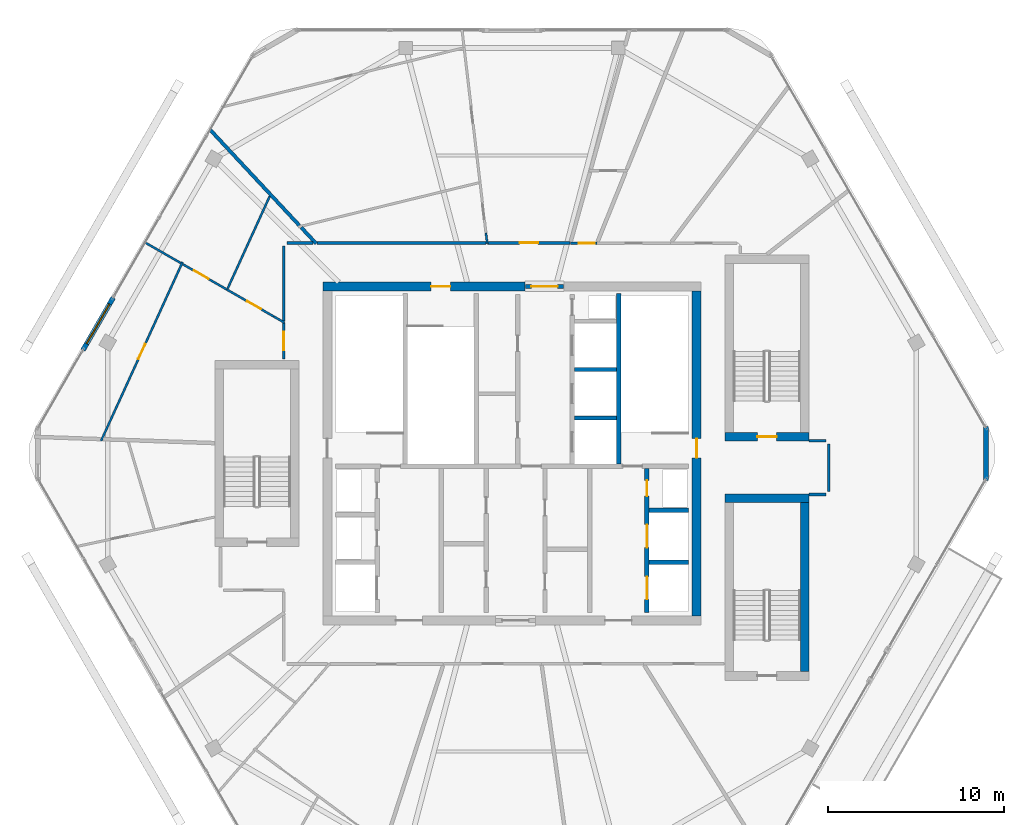
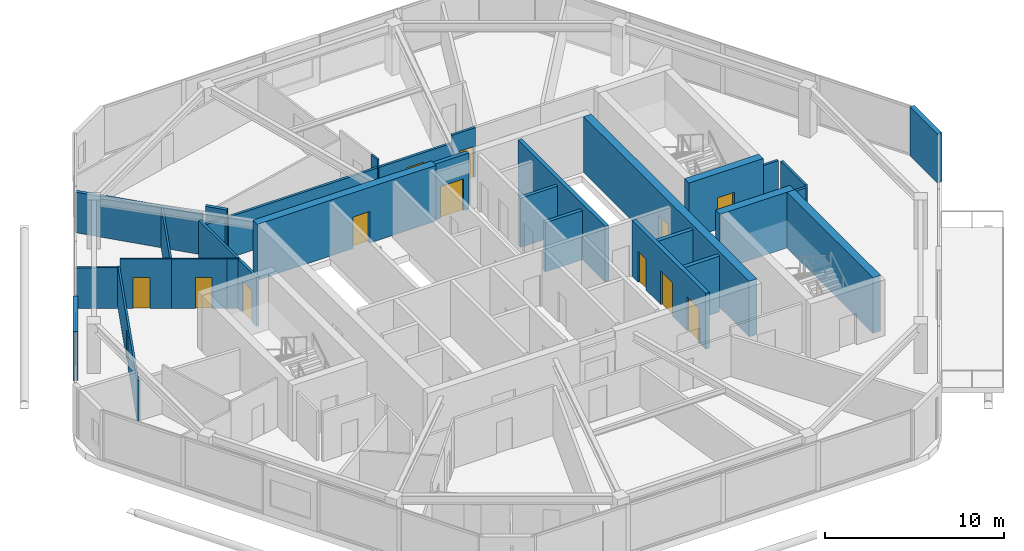
# One storey, part 18 of 22: 32 walls, 13 doors, 1 window, 14 openings.
"""IFC4 building model written with IfcOpenShell, lengths in metres."""

from ifc_helpers import new_model, si_unit, direction, frame, frame_2d, origin, place, context, subcontext, project, spatial, rectangle, extrude, material, layer, layer_set, type_object, element, fill, save


model = new_model("IFC4")

# Units and contexts
model_context = context("Model", 3, precision=1e-05, world=origin(), true_north=direction((0.0, 1.0)))
body_context = subcontext(model_context, "Body", "Model", "MODEL_VIEW")
ifc_project = project(units=[si_unit("LENGTHUNIT", "METRE"), si_unit("AREAUNIT", "SQUARE_METRE"), si_unit("VOLUMEUNIT", "CUBIC_METRE"), si_unit("PLANEANGLEUNIT", "RADIAN"), si_unit("MASSUNIT", "GRAM", prefix="KILO")], contexts=[model_context])

# Site, building, storey
site_placement = place(None, origin())
site = spatial("IfcSite", under=ifc_project, at=site_placement, CompositionType="ELEMENT")
building_placement = place(site_placement, origin())
building = spatial("IfcBuilding", under=site, at=building_placement, Name="Zuhravey Tower", CompositionType="ELEMENT")
storey_placement = place(building_placement, frame((0.0, 0.0, 357.60009765625)))
storey = spatial("IfcBuildingStorey", under=building, at=storey_placement, Name="L91", CompositionType="ELEMENT", Elevation=357.60009765625)

# Wall, opening, door
ifc_material_1 = material(Name="Concrete C50/60", Category="concrete")
ifc_layer_1 = layer(ifc_material_1, 0.5)
ifc_layer_set_1 = layer_set([ifc_layer_1], Name="Concrete C50/60")
wall_type_1 = type_object("IfcWallType", Name="Core Shear Wall 500", PredefinedType="SHEAR", material=ifc_layer_set_1)
wall_1_placement = place(storey_placement, frame((36.75, 41.5, 0.0), z_axis=(0.0, 0.0, 1.0), x_axis=(-1.0, 0.0, 0.0)))
wall_1 = element("IfcWall", 1, at=wall_1_placement, inside=storey, type_object=wall_type_1, Name="L91 North-West Core Shear Wall CW50", PredefinedType="SHEAR", context=body_context, shape_type="SweptSolid", body=[
    extrude(rectangle(XDim=11.5, YDim=0.5, at=frame_2d((5.75, 0.0))), origin(), (0.0, 0.0, 1.0), 3.7998046875),
])
opening_1_placement = place(wall_1_placement, frame((4.25, 0.0, 0.0)))
opening_1 = element("IfcOpeningElement", 2, at=opening_1_placement, cuts=wall_1, Name="Opening STD1", PredefinedType="OPENING", context=body_context, shape_type="SweptSolid", body=[
    extrude(rectangle(XDim=1.10009765625, YDim=2.14990234375, at=frame_2d((0.550048828125, 1.074951171875))), frame((0.0, 0.261962890625, 0.0), z_axis=(0.0, -1.0, 0.0), x_axis=(1.0, 0.0, 0.0)), (0.0, 0.0, 1.0), 0.52392578125),
])
ifc_material_2 = material(Name="Galvanised fire-rated steel leaf", Category="steel")
door_type_1 = type_object("IfcDoorType", Name="Protected Stair Fire Door 1100x2150", OperationType="NOTDEFINED", PredefinedType="USERDEFINED", material=ifc_material_2)
door_1_placement = place(opening_1_placement, origin())
door_1 = element("IfcDoor", 3, at=door_1_placement, inside=storey, type_object=door_type_1, Name="L91 Stair ST3 Door", ObjectType="EXITDOOR", OperationType="SINGLE_SWING_RIGHT", OverallHeight=2.14990234375, OverallWidth=1.10009765625, PredefinedType="USERDEFINED", context=body_context, shape_type="SweptSolid", body=[
    extrude(rectangle(XDim=1.10009765625, YDim=2.14990234375, at=frame_2d((0.550048828125, 1.074951171875))), frame((0.0, 0.02490234375, 0.0), z_axis=(0.0, -1.0, 0.0), x_axis=(1.0, 0.0, 0.0)), (0.0, 0.0, 1.0), 0.050048828125),
])
fill(opening_1, door_1)

wall_2_placement = place(storey_placement, frame((46.5, 22.75, 0.0), z_axis=(0.0, 0.0, 1.0), x_axis=(0.0, 1.0, 0.0)))
wall_2 = element("IfcWall", 4, at=wall_2_placement, inside=storey, type_object=wall_type_1, Name="L91 East Core Shear Wall CW50", PredefinedType="SHEAR", context=body_context, shape_type="SweptSolid", body=[
    extrude(rectangle(XDim=18.5, YDim=0.5, at=frame_2d((9.25, 0.0))), origin(), (0.0, 0.0, 1.0), 3.7998046875),
])
opening_2_placement = place(wall_2_placement, frame((9.0, 0.0, 0.0)))
opening_2 = element("IfcOpeningElement", 5, at=opening_2_placement, cuts=wall_2, Name="Opening STD1", PredefinedType="OPENING", context=body_context, shape_type="SweptSolid", body=[
    extrude(rectangle(XDim=1.10009765625, YDim=2.14990234375, at=frame_2d((0.550048828125, 1.074951171875))), frame((0.0, 0.261962890625, 0.0), z_axis=(0.0, -1.0, 0.0), x_axis=(1.0, 0.0, 0.0)), (0.0, 0.0, 1.0), 0.52392578125),
])
door_2_placement = place(opening_2_placement, origin())
door_2 = element("IfcDoor", 6, at=door_2_placement, inside=storey, type_object=door_type_1, Name="L91 Stair ST2 Door", ObjectType="EXITDOOR", OperationType="SINGLE_SWING_LEFT", OverallHeight=2.14990234375, OverallWidth=1.10009765625, PredefinedType="USERDEFINED", context=body_context, shape_type="SweptSolid", body=[
    extrude(rectangle(XDim=1.10009765625, YDim=2.14990234375, at=frame_2d((0.550048828125, 1.074951171875))), frame((0.0, 0.02490234375, 0.0), z_axis=(0.0, -1.0, 0.0), x_axis=(1.0, 0.0, 0.0)), (0.0, 0.0, 1.0), 0.050048828125),
])
fill(opening_2, door_2)

# Walls
wall_3_placement = place(storey_placement, frame((52.89990234375, 29.449951171875, 0.0), z_axis=(0.0, 0.0, 1.0), x_axis=(-1.0, 0.0, 0.0)))
element("IfcWall", 7, at=wall_3_placement, inside=storey, type_object=wall_type_1, Name="L91 CST2 North Shaft Wall", PredefinedType="SHEAR", context=body_context, shape_type="SweptSolid", body=[
    extrude(rectangle(XDim=4.7998046875, YDim=0.5, at=frame_2d((2.39990234375, 0.0))), origin(), (0.0, 0.0, 1.0), 3.7998046875),
])
wall_4_placement = place(storey_placement, frame((52.64990234375, 29.199951171875, 0.0), z_axis=(0.0, 0.0, 1.0), x_axis=(0.0, -1.0, 0.0)))
element("IfcWall", 8, at=wall_4_placement, inside=storey, type_object=wall_type_1, Name="L91 CST2 East Shaft Wall", PredefinedType="SHEAR", context=body_context, shape_type="SweptSolid", body=[
    extrude(rectangle(XDim=9.599853515625, YDim=0.5, at=frame_2d((4.7998046875, 0.0))), origin(), (0.0, 0.0, 1.0), 3.7998046875),
])

# Wall, opening, door
wall_5_placement = place(storey_placement, frame((48.10009765625, 32.949951171875, 0.0), z_axis=(0.0, 0.0, 1.0), x_axis=(1.0, 0.0, 0.0)))
wall_5 = element("IfcWall", 9, at=wall_5_placement, inside=storey, type_object=wall_type_1, Name="L91 CST3 South Shaft Wall", PredefinedType="SHEAR", context=body_context, shape_type="SweptSolid", body=[
    extrude(rectangle(XDim=4.7998046875, YDim=0.5, at=frame_2d((2.39990234375, 0.0))), origin(), (0.0, 0.0, 1.0), 3.7998046875),
])
opening_3_placement = place(wall_5_placement, frame((1.85009765625, 0.0, 0.0)))
opening_3 = element("IfcOpeningElement", 10, at=opening_3_placement, cuts=wall_5, Name="Opening STD1", PredefinedType="OPENING", context=body_context, shape_type="SweptSolid", body=[
    extrude(rectangle(XDim=1.10009765625, YDim=2.14990234375, at=frame_2d((0.550048828125, 1.074951171875))), frame((0.0, 0.261962890625, 0.0), z_axis=(0.0, -1.0, 0.0), x_axis=(1.0, 0.0, 0.0)), (0.0, 0.0, 1.0), 0.52392578125),
])
door_3_placement = place(opening_3_placement, origin())
door_3 = element("IfcDoor", 11, at=door_3_placement, inside=storey, type_object=door_type_1, Name="L91 CST3 Transfer Door", ObjectType="EXITDOOR", OperationType="SINGLE_SWING_LEFT", OverallHeight=2.14990234375, OverallWidth=1.10009765625, PredefinedType="USERDEFINED", context=body_context, shape_type="SweptSolid", body=[
    extrude(rectangle(XDim=1.10009765625, YDim=2.14990234375, at=frame_2d((0.550048828125, 1.074951171875))), frame((0.0, 0.02490234375, 0.0), z_axis=(0.0, -1.0, 0.0), x_axis=(1.0, 0.0, 0.0)), (0.0, 0.0, 1.0), 0.050048828125),
])
fill(opening_3, door_3)

ifc_material_3 = material(Name="Gypsum fire-rated stud partition")
ifc_layer_2 = layer(ifc_material_3, 0.159912109375)
ifc_layer_set_2 = layer_set([ifc_layer_2], Name="Gypsum fire-rated stud partition")
wall_type_2 = type_object("IfcWallType", Name="Corridor Fire Partition 160", PredefinedType="PARTITIONING", material=ifc_layer_set_2)
wall_6_placement = place(storey_placement, frame((40.832275390625, 43.9599609375, 0.0), z_axis=(0.0, 0.0, 1.0), x_axis=(-1.0, 0.0, 0.0)))
wall_6 = element("IfcWall", 12, at=wall_6_placement, inside=storey, type_object=wall_type_2, Name="L91 IW16 Partition 025", PredefinedType="PARTITIONING", context=body_context, shape_type="SweptSolid", body=[
    extrude(rectangle(XDim=1.515380859375, YDim=0.159912109375, at=frame_2d((0.7578125, 0.0))), origin(), (0.0, 0.0, 1.0), 3.349853515625),
])
opening_4_placement = place(wall_6_placement, frame((0.139892578125, 0.0, 0.0)))
opening_4 = element("IfcOpeningElement", 13, at=opening_4_placement, cuts=wall_6, Name="Opening RSD1", PredefinedType="OPENING", context=body_context, shape_type="SweptSolid", body=[
    extrude(rectangle(XDim=0.89990234375, YDim=2.10009765625, at=frame_2d((0.449951171875, 1.050048828125))), frame((0.0, 0.092041015625, 0.0), z_axis=(0.0, -1.0, 0.0), x_axis=(1.0, 0.0, 0.0)), (0.0, 0.0, 1.0), 0.183837890625),
])
ifc_material_4 = material(Name="Galvanised fire-rated steel access leaf", Category="steel")
door_type_2 = type_object("IfcDoorType", Name="Riser & Shaft Access Fire Door 900x2100", OperationType="NOTDEFINED", PredefinedType="DOOR", material=ifc_material_4)
door_4_placement = place(opening_4_placement, frame((0.89990234375, 0.0, 0.0), z_axis=(0.0, 0.0, 1.0), x_axis=(-1.0, 0.0, 0.0)))
door_4 = element("IfcDoor", 14, at=door_4_placement, inside=storey, type_object=door_type_2, Name="L91 Door 025.1", OperationType="SINGLE_SWING_LEFT", OverallHeight=2.10009765625, OverallWidth=0.89990234375, PredefinedType="DOOR", context=body_context, shape_type="SweptSolid", body=[
    extrude(rectangle(XDim=0.89990234375, YDim=2.10009765625, at=frame_2d((0.449951171875, 1.050048828125))), frame((0.0, 0.02490234375, 0.0), z_axis=(0.0, -1.0, 0.0), x_axis=(1.0, 0.0, 0.0)), (0.0, 0.0, 1.0), 0.050048828125),
])
fill(opening_4, door_4)

wall_7_placement = place(storey_placement, frame((39.301513671875, 43.97998046875, 0.0), z_axis=(0.0, 0.0, 1.0), x_axis=(-1.0, 0.0, 0.0)))
wall_7 = element("IfcWall", 15, at=wall_7_placement, inside=storey, type_object=wall_type_2, Name="L91 IW16 Partition 029", PredefinedType="PARTITIONING", context=body_context, shape_type="SweptSolid", body=[
    extrude(rectangle(XDim=4.695068359375, YDim=0.159912109375, at=frame_2d((2.34765625, 0.0))), origin(), (0.0, 0.0, 1.0), 2.7998046875),
])
opening_5_placement = place(wall_7_placement, frame((1.822509765625, 0.0, 0.0)))
opening_5 = element("IfcOpeningElement", 16, at=opening_5_placement, cuts=wall_7, Name="Opening APD1", PredefinedType="OPENING", context=body_context, shape_type="SweptSolid", body=[
    extrude(rectangle(XDim=1.050048828125, YDim=2.14990234375, at=frame_2d((0.52490234375, 1.074951171875))), frame((0.0, 0.092041015625, 0.0), z_axis=(0.0, -1.0, 0.0), x_axis=(1.0, 0.0, 0.0)), (0.0, 0.0, 1.0), 0.183837890625),
])
ifc_material_5 = material(Name="Solid-core oak fire-rated leaf")
door_type_3 = type_object("IfcDoorType", Name="Apartment Entrance Fire Door 1050x2150", OperationType="NOTDEFINED", PredefinedType="DOOR", material=ifc_material_5)
door_5_placement = place(opening_5_placement, frame((1.050048828125, 0.0, 0.0), z_axis=(0.0, 0.0, 1.0), x_axis=(-1.0, 0.0, 0.0)))
door_5 = element("IfcDoor", 17, at=door_5_placement, inside=storey, type_object=door_type_3, Name="L91 Door 029.1", OperationType="SINGLE_SWING_LEFT", OverallHeight=2.14990234375, OverallWidth=1.050048828125, PredefinedType="DOOR", context=body_context, shape_type="SweptSolid", body=[
    extrude(rectangle(XDim=1.050048828125, YDim=2.14990234375, at=frame_2d((0.52490234375, 1.074951171875))), frame((0.0, 0.02490234375, 0.0), z_axis=(0.0, -1.0, 0.0), x_axis=(1.0, 0.0, 0.0)), (0.0, 0.0, 1.0), 0.050048828125),
])
fill(opening_5, door_5)

wall_8_placement = place(storey_placement, frame((23.02001953125, 39.44091796875, 0.0), z_axis=(0.0, 0.0, 1.0), x_axis=(0.0, -1.0, 0.0)))
wall_8 = element("IfcWall", 18, at=wall_8_placement, inside=storey, type_object=wall_type_2, Name="L91 IW16 Partition 034", PredefinedType="PARTITIONING", context=body_context, shape_type="SweptSolid", body=[
    extrude(rectangle(XDim=2.07080078125, YDim=0.159912109375, at=frame_2d((1.035400390625, 0.0))), origin(), (0.0, 0.0, 1.0), 3.349853515625),
])
opening_6_placement = place(wall_8_placement, frame((0.510498046875, 0.0, 0.0)))
opening_6 = element("IfcOpeningElement", 19, at=opening_6_placement, cuts=wall_8, Name="Opening APD1", PredefinedType="OPENING", context=body_context, shape_type="SweptSolid", body=[
    extrude(rectangle(XDim=1.050048828125, YDim=2.14990234375, at=frame_2d((0.52490234375, 1.074951171875))), frame((0.0, 0.092041015625, 0.0), z_axis=(0.0, -1.0, 0.0), x_axis=(1.0, 0.0, 0.0)), (0.0, 0.0, 1.0), 0.183837890625),
])
door_6_placement = place(opening_6_placement, frame((1.050048828125, 0.0, 0.0), z_axis=(0.0, 0.0, 1.0), x_axis=(-1.0, 0.0, 0.0)))
door_6 = element("IfcDoor", 20, at=door_6_placement, inside=storey, type_object=door_type_3, Name="L91 Door 034.1", OperationType="SINGLE_SWING_LEFT", OverallHeight=2.14990234375, OverallWidth=1.050048828125, PredefinedType="DOOR", context=body_context, shape_type="SweptSolid", body=[
    extrude(rectangle(XDim=1.050048828125, YDim=2.14990234375, at=frame_2d((0.52490234375, 1.074951171875))), frame((0.0, 0.02490234375, 0.0), z_axis=(0.0, -1.0, 0.0), x_axis=(1.0, 0.0, 0.0)), (0.0, 0.0, 1.0), 0.050048828125),
])
fill(opening_6, door_6)

# Walls
wall_9_placement = place(storey_placement, frame((54.010009765625, 29.85009765625, 0.0), z_axis=(0.0, 0.0, 1.0), x_axis=(0.0, 1.0, 0.0)))
element("IfcWall", 21, at=wall_9_placement, inside=storey, type_object=wall_type_2, Name="L91 IW16 Partition 050", PredefinedType="PARTITIONING", context=body_context, shape_type="SweptSolid", body=[
    extrude(rectangle(XDim=2.699951171875, YDim=0.159912109375, at=frame_2d((1.35009765625, 0.0))), origin(), (0.0, 0.0, 1.0), 3.349853515625),
])
for number, where, z_axis, x_axis, name in (
    (22, (52.89990234375, 29.669921875, 0.0), (0.0, 0.0, 1.0), (1.0, 0.0, 0.0), "L91 IW16 Partition 075"),
    (23, (53.85009765625, 32.72998046875, 0.0), (0.0, 0.0, 1.0), (-1.0, 0.0, 0.0), "L91 IW16 Partition 076"),
):
    element("IfcWall", number, at=place(storey_placement, frame(where, z_axis=z_axis, x_axis=x_axis)), inside=storey, type_object=wall_type_2, Name=name, PredefinedType="PARTITIONING", context=body_context, shape_type="SweptSolid", body=[
        extrude(rectangle(XDim=0.9501953125, YDim=0.159912109375, at=frame_2d((0.47509765625, 0.0))), origin(), (0.0, 0.0, 1.0), 3.349853515625),
    ])
wall_10_placement = place(storey_placement, frame((34.517822265625, 43.97998046875, 0.0), z_axis=(0.0, 0.0, 1.0), x_axis=(-1.0, 0.0, 0.0)))
element("IfcWall", 24, at=wall_10_placement, inside=storey, type_object=wall_type_2, Name="L91 IW16 Partition 078", PredefinedType="PARTITIONING", context=body_context, shape_type="SweptSolid", body=[
    extrude(rectangle(XDim=9.609130859375, YDim=0.159912109375, at=frame_2d((4.8046875, 0.0))), origin(), (0.0, 0.0, 1.0), 2.7998046875),
])
wall_11_placement = place(storey_placement, frame((23.02001953125, 43.800048828125, 0.0), z_axis=(0.0, 0.0, 1.0), x_axis=(0.0, -1.0, 0.0)))
element("IfcWall", 25, at=wall_11_placement, inside=storey, type_object=wall_type_2, Name="L91 IW16 Partition 079", PredefinedType="PARTITIONING", context=body_context, shape_type="SweptSolid", body=[
    extrude(rectangle(XDim=4.2578125, YDim=0.159912109375, at=frame_2d((2.12890625, 0.0))), origin(), (0.0, 0.0, 1.0), 3.349853515625),
])
wall_12_placement = place(storey_placement, frame((24.680908203125, 43.97998046875, 0.0), z_axis=(0.0, 0.0, 1.0), x_axis=(-1.0, 0.0, 0.0)))
element("IfcWall", 26, at=wall_12_placement, inside=storey, type_object=wall_type_2, Name="L91 IW16 Partition 080", PredefinedType="PARTITIONING", context=body_context, shape_type="SweptSolid", body=[
    extrude(rectangle(XDim=1.48095703125, YDim=0.159912109375, at=frame_2d((0.740478515625, 0.0))), origin(), (0.0, 0.0, 1.0), 2.7998046875),
])

# Wall, opening, window
ifc_material_6 = material(Name="Precast concrete C40/50", Category="concrete")
ifc_layer_3 = layer(ifc_material_6, 0.280029296875)
ifc_layer_set_3 = layer_set([ifc_layer_3], Name="Precast concrete C40/50")
wall_type_3 = type_object("IfcWallType", Name="Crown Architectural Wall 280", PredefinedType="SOLIDWALL", material=ifc_layer_set_3)
wall_13_placement = place(storey_placement, frame((11.5986328125, 37.883544921875, 0.0), z_axis=(0.0, 0.0, 1.0), x_axis=(0.499978425106, 0.866037859697, 0.0)))
wall_13 = element("IfcWall", 27, at=wall_13_placement, inside=storey, type_object=wall_type_3, Name="L91 Face 3 Facade Pier EW28-1", PredefinedType="SOLIDWALL", context=body_context, shape_type="SweptSolid", body=[
    extrude(rectangle(XDim=3.440185546875, YDim=0.280029296875, at=frame_2d((1.72021484375, 0.0))), origin(), (0.0, 0.0, 1.0), 3.349853515625),
])
opening_7_placement = place(wall_13_placement, frame((0.419921875, 0.0, 0.699951171875)))
opening_7 = element("IfcOpeningElement", 28, at=opening_7_placement, cuts=wall_13, Name="Opening WN4", PredefinedType="OPENING", context=body_context, shape_type="SweptSolid", body=[
    extrude(rectangle(XDim=2.60009765625, YDim=1.800048828125, at=frame_2d((1.300048828125, 0.89990234375))), frame((0.0, 0.152099609375, 0.0), z_axis=(0.0, -1.0, 0.0), x_axis=(1.0, 0.0, 0.0)), (0.0, 0.0, 1.0), 0.303955078125),
])
ifc_material_7 = material(Name="Thermally broken aluminium and triple low-E glass", Category="aluminium")
window_type = type_object("IfcWindowType", Name="Sky-Pool Observatory Window 2600x1800", PartitioningType="SINGLE_PANEL", PredefinedType="WINDOW", material=ifc_material_7)
window_placement = place(opening_7_placement, origin())
window = element("IfcWindow", 29, at=window_placement, inside=storey, type_object=window_type, Name="L91 Face 3 Feature Window", OverallHeight=1.800048828125, OverallWidth=2.60009765625, PartitioningType="SINGLE_PANEL", PredefinedType="WINDOW", context=body_context, shape_type="SweptSolid", body=[
    extrude(rectangle(XDim=2.60009765625, YDim=1.800048828125, at=frame_2d((1.300048828125, 0.89990234375))), frame((0.0, 0.030029296875, 0.0), z_axis=(0.0, -1.0, 0.0), x_axis=(1.0, 0.0, 0.0)), (0.0, 0.0, 1.0), 0.06005859375),
])
fill(opening_7, window)

# Wall
wall_14_placement = place(storey_placement, frame((62.968505859375, 33.532470703125, 0.0), z_axis=(0.0, 0.0, 1.0), x_axis=(0.0, -1.0, 0.0)))
element("IfcWall", 30, at=wall_14_placement, inside=storey, type_object=wall_type_3, Name="L91 Rounded Corner Closure Wall EW28-12", PredefinedType="SOLIDWALL", context=body_context, shape_type="SweptSolid", body=[
    extrude(rectangle(XDim=3.06494140625, YDim=0.280029296875, at=frame_2d((1.532470703125, 0.0))), origin(), (0.0, 0.0, 1.0), 3.349853515625),
])

# Wall, opening, door
ifc_layer_4 = layer(ifc_material_1, 0.25)
ifc_layer_set_4 = layer_set([ifc_layer_4], Name="Concrete C50/60")
wall_type_4 = type_object("IfcWallType", Name="Firefighting Shaft & Stair Wall 250", PredefinedType="SOLIDWALL", material=ifc_layer_set_4)
wall_15_placement = place(storey_placement, frame((36.760009765625, 41.5, 0.0), z_axis=(0.0, 0.0, 1.0), x_axis=(1.0, 0.0, 0.0)))
wall_15 = element("IfcWall", 31, at=wall_15_placement, inside=storey, type_object=wall_type_4, Name="L91 FW25 Shaft Wall 002", PredefinedType="SOLIDWALL", context=body_context, shape_type="SweptSolid", body=[
    extrude(rectangle(XDim=2.179931640625, YDim=0.25, at=frame_2d((1.08984375, 0.0))), origin(), (0.0, 0.0, 1.0), 3.7998046875),
])
opening_8_placement = place(wall_15_placement, frame((0.340087890625, 0.0, 0.0)))
opening_8 = element("IfcOpeningElement", 32, at=opening_8_placement, cuts=wall_15, Name="Opening FFD1", PredefinedType="OPENING", context=body_context, shape_type="SweptSolid", body=[
    extrude(rectangle(XDim=1.5, YDim=2.14990234375, at=frame_2d((0.75, 1.074951171875))), frame((0.0, 0.136962890625, 0.0), z_axis=(0.0, -1.0, 0.0), x_axis=(1.0, 0.0, 0.0)), (0.0, 0.0, 1.0), 0.27392578125),
])
door_type_4 = type_object("IfcDoorType", Name="Firefighting Lobby Double Door 1500x2150", OperationType="DOUBLE_DOOR_SINGLE_SWING", PredefinedType="DOOR", material=ifc_material_2)
door_7_placement = place(opening_8_placement, origin())
door_7 = element("IfcDoor", 33, at=door_7_placement, inside=storey, type_object=door_type_4, Name="L91 North Lift Lobby Exit Door", OperationType="DOUBLE_DOOR_SINGLE_SWING", OverallHeight=2.14990234375, OverallWidth=1.5, PredefinedType="DOOR", context=body_context, shape_type="SweptSolid", body=[
    extrude(rectangle(XDim=1.5, YDim=2.14990234375, at=frame_2d((0.75, 1.074951171875))), frame((0.0, 0.02490234375, 0.0), z_axis=(0.0, -1.0, 0.0), x_axis=(1.0, 0.0, 0.0)), (0.0, 0.0, 1.0), 0.050048828125),
])
fill(opening_8, door_7)

# Walls
wall_16_placement = place(storey_placement, frame((42.074951171875, 31.39990234375, 0.0), z_axis=(0.0, 0.0, 1.0), x_axis=(0.0, 1.0, 0.0)))
element("IfcWall", 34, at=wall_16_placement, inside=storey, type_object=wall_type_4, Name="L91 FW25 Shaft Wall 006", PredefinedType="SOLIDWALL", context=body_context, shape_type="SweptSolid", body=[
    extrude(rectangle(XDim=9.7001953125, YDim=0.25, at=frame_2d((4.85009765625, 0.0))), origin(), (0.0, 0.0, 1.0), 3.7998046875),
])
for number, where, z_axis, x_axis, name in (
    (35, (43.800048828125, 25.824951171875, 0.0), (0.0, 0.0, 1.0), (1.0, 0.0, 0.0), "L91 FW25 Shaft Wall 018"),
    (36, (43.800048828125, 28.77490234375, 0.0), (0.0, 0.0, 1.0), (1.0, 0.0, 0.0), "L91 FW25 Shaft Wall 019"),
):
    element("IfcWall", number, at=place(storey_placement, frame(where, z_axis=z_axis, x_axis=x_axis)), inside=storey, type_object=wall_type_4, Name=name, PredefinedType="SOLIDWALL", context=body_context, shape_type="SweptSolid", body=[
        extrude(rectangle(XDim=2.25, YDim=0.25, at=frame_2d((1.125, 0.0))), origin(), (0.0, 0.0, 1.0), 3.7998046875),
    ])

# Wall, openings, doors
wall_17_placement = place(storey_placement, frame((43.675048828125, 22.949951171875, 0.0), z_axis=(0.0, 0.0, 1.0), x_axis=(0.0, 1.0, 0.0)))
wall_17 = element("IfcWall", 37, at=wall_17_placement, inside=storey, type_object=wall_type_4, Name="L91 FW25 Shaft Wall 020", PredefinedType="SOLIDWALL", context=body_context, shape_type="SweptSolid", body=[
    extrude(rectangle(XDim=8.199951171875, YDim=0.25, at=frame_2d((4.10009765625, 0.0))), origin(), (0.0, 0.0, 1.0), 3.7998046875),
])
opening_9_placement = place(wall_17_placement, frame((0.75, 0.0, 0.0)))
opening_9 = element("IfcOpeningElement", 38, at=opening_9_placement, cuts=wall_17, Name="Opening LD2", PredefinedType="OPENING", context=body_context, shape_type="SweptSolid", body=[
    extrude(rectangle(XDim=1.300048828125, YDim=2.300048828125, at=frame_2d((0.64990234375, 1.14990234375))), frame((0.0, 0.136962890625, 0.0), z_axis=(0.0, -1.0, 0.0), x_axis=(1.0, 0.0, 0.0)), (0.0, 0.0, 1.0), 0.27392578125),
])
opening_10_placement = place(wall_17_placement, frame((3.699951171875, 0.0, 0.0)))
opening_10 = element("IfcOpeningElement", 39, at=opening_10_placement, cuts=wall_17, Name="Opening LD2", PredefinedType="OPENING", context=body_context, shape_type="SweptSolid", body=[
    extrude(rectangle(XDim=1.300048828125, YDim=2.300048828125, at=frame_2d((0.64990234375, 1.14990234375))), frame((0.0, 0.136962890625, 0.0), z_axis=(0.0, -1.0, 0.0), x_axis=(1.0, 0.0, 0.0)), (0.0, 0.0, 1.0), 0.27392578125),
])
opening_11_placement = place(wall_17_placement, frame((6.6201171875, 0.0, 0.0)))
opening_11 = element("IfcOpeningElement", 40, at=opening_11_placement, cuts=wall_17, Name="Opening RSD1", PredefinedType="OPENING", context=body_context, shape_type="SweptSolid", body=[
    extrude(rectangle(XDim=0.89990234375, YDim=2.10009765625, at=frame_2d((0.449951171875, 1.050048828125))), frame((0.0, 0.136962890625, 0.0), z_axis=(0.0, -1.0, 0.0), x_axis=(1.0, 0.0, 0.0)), (0.0, 0.0, 1.0), 0.27392578125),
])
ifc_material_8 = material(Name="Brushed stainless steel", Category="steel")
door_type_5 = type_object("IfcDoorType", Name="Freight & Stretcher Lift Sliding Door 1300x2300", OperationType="DOUBLE_DOOR_SLIDING", PredefinedType="DOOR", material=ifc_material_8)
door_8_placement = place(opening_9_placement, origin())
door_8 = element("IfcDoor", 41, at=door_8_placement, inside=storey, type_object=door_type_5, Name="L91 Lift FF2 Landing Door", OperationType="DOUBLE_DOOR_SLIDING", OverallHeight=2.300048828125, OverallWidth=1.300048828125, PredefinedType="DOOR", context=body_context, shape_type="SweptSolid", body=[
    extrude(rectangle(XDim=1.300048828125, YDim=2.300048828125, at=frame_2d((0.64990234375, 1.14990234375))), frame((0.0, 0.02490234375, 0.0), z_axis=(0.0, -1.0, 0.0), x_axis=(1.0, 0.0, 0.0)), (0.0, 0.0, 1.0), 0.050048828125),
])
fill(opening_9, door_8)
door_9_placement = place(opening_10_placement, origin())
door_9 = element("IfcDoor", 42, at=door_9_placement, inside=storey, type_object=door_type_5, Name="L91 Lift SV1 Landing Door", OperationType="DOUBLE_DOOR_SLIDING", OverallHeight=2.300048828125, OverallWidth=1.300048828125, PredefinedType="DOOR", context=body_context, shape_type="SweptSolid", body=[
    extrude(rectangle(XDim=1.300048828125, YDim=2.300048828125, at=frame_2d((0.64990234375, 1.14990234375))), frame((0.0, 0.02490234375, 0.0), z_axis=(0.0, -1.0, 0.0), x_axis=(1.0, 0.0, 0.0)), (0.0, 0.0, 1.0), 0.050048828125),
])
fill(opening_10, door_9)
door_10_placement = place(opening_11_placement, origin())
door_10 = element("IfcDoor", 43, at=door_10_placement, inside=storey, type_object=door_type_2, Name="L91 Plumbing Riser Door", OperationType="SINGLE_SWING_RIGHT", OverallHeight=2.10009765625, OverallWidth=0.89990234375, PredefinedType="DOOR", context=body_context, shape_type="SweptSolid", body=[
    extrude(rectangle(XDim=0.89990234375, YDim=2.10009765625, at=frame_2d((0.449951171875, 1.050048828125))), frame((0.0, 0.02490234375, 0.0), z_axis=(0.0, -1.0, 0.0), x_axis=(1.0, 0.0, 0.0)), (0.0, 0.0, 1.0), 0.050048828125),
])
fill(opening_11, door_10)

# Walls
ifc_material_9 = material(Name="Gypsum double-stud party assembly")
ifc_layer_5 = layer(ifc_material_9, 0.199951171875)
ifc_layer_set_5 = layer_set([ifc_layer_5], Name="Gypsum double-stud party assembly")
wall_type_5 = type_object("IfcWallType", Name="Inter-Tenancy Party Wall 200", PredefinedType="PARTITIONING", material=ifc_layer_set_5)
wall_18_placement = place(storey_placement, frame((24.86572265625, 43.93994140625, 0.0), z_axis=(0.0, 0.0, 1.0), x_axis=(-0.68185345298, 0.731488802826, 0.0)))
element("IfcWall", 44, at=wall_18_placement, inside=storey, type_object=wall_type_5, Name="L91 IW20 Partition 061", PredefinedType="PARTITIONING", context=body_context, shape_type="SweptSolid", body=[
    extrude(rectangle(XDim=1.254150390625, YDim=0.199951171875, at=frame_2d((0.626953125, 0.0))), origin(), (0.0, 0.0, 1.0), 3.349853515625),
])
wall_19_placement = place(storey_placement, frame((23.904052734375, 44.97119140625, 0.0), z_axis=(0.0, 0.0, 1.0), x_axis=(-0.681993072999, 0.73135863185, 0.0)))
element("IfcWall", 45, at=wall_19_placement, inside=storey, type_object=wall_type_5, Name="L91 IW20 Partition 062", PredefinedType="PARTITIONING", context=body_context, shape_type="SweptSolid", body=[
    extrude(rectangle(XDim=7.438232421875, YDim=0.199951171875, at=frame_2d((3.71923828125, 0.0))), origin(), (0.0, 0.0, 1.0), 2.77001953125),
])
ifc_material_10 = material(Name="Gypsum acoustic stud assembly")
ifc_layer_6 = layer(ifc_material_10, 0.219970703125)
ifc_layer_set_6 = layer_set([ifc_layer_6], Name="Gypsum acoustic stud assembly")
wall_type_6 = type_object("IfcWallType", Name="School Acoustic Compartment Wall 220", PredefinedType="PARTITIONING", material=ifc_layer_set_6)
for number, where, z_axis, x_axis, name in (
    (46, (39.55810546875, 34.02490234375, 0.0), (0.0, 0.0, 1.0), (1.0, 0.0, 0.0), "L91 IW22 Partition 046"),
    (47, (39.55810546875, 36.77490234375, 0.0), (0.0, 0.0, 1.0), (1.0, 0.0, 0.0), "L91 IW22 Partition 047"),
):
    element("IfcWall", number, at=place(storey_placement, frame(where, z_axis=z_axis, x_axis=x_axis)), inside=storey, type_object=wall_type_6, Name=name, PredefinedType="PARTITIONING", context=body_context, shape_type="SweptSolid", body=[
        extrude(rectangle(XDim=2.3837890625, YDim=0.219970703125, at=frame_2d((1.19189453125, 0.0))), origin(), (0.0, 0.0, 1.0), 3.349853515625),
    ])

# Wall, opening, door
ifc_material_11 = material(Name="Gypsum metal-stud partition")
ifc_layer_7 = layer(ifc_material_11, 0.1201171875)
ifc_layer_set_7 = layer_set([ifc_layer_7], Name="Gypsum metal-stud partition")
wall_type_7 = type_object("IfcWallType", Name="Unit Internal Partition 120", PredefinedType="PARTITIONING", material=ifc_layer_set_7)
wall_20_placement = place(storey_placement, frame((17.26416015625, 42.888916015625, 0.0), z_axis=(0.0, 0.0, 1.0), x_axis=(-0.41468959687, -0.909962932348, 0.0)))
wall_20 = element("IfcWall", 48, at=wall_20_placement, inside=storey, type_object=wall_type_7, Name="L91 IW12 Partition 030", PredefinedType="PARTITIONING", context=body_context, shape_type="SweptSolid", body=[
    extrude(rectangle(XDim=11.179443359375, YDim=0.1201171875, at=frame_2d((5.58984375, 0.0))), origin(), (0.0, 0.0, 1.0), 2.77001953125),
])
opening_12_placement = place(wall_20_placement, frame((5.11474609375, 0.0, 0.0)))
opening_12 = element("IfcOpeningElement", 49, at=opening_12_placement, cuts=wall_20, Name="Opening IND1", PredefinedType="OPENING", context=body_context, shape_type="SweptSolid", body=[
    extrude(rectangle(XDim=0.949951171875, YDim=2.10009765625, at=frame_2d((0.47509765625, 1.050048828125))), frame((0.0, 0.072021484375, 0.0), z_axis=(0.0, -1.0, 0.0), x_axis=(1.0, 0.0, 0.0)), (0.0, 0.0, 1.0), 0.14404296875),
])
ifc_material_12 = material(Name="Painted engineered timber leaf", Category="wood")
door_type_6 = type_object("IfcDoorType", Name="Internal Room & Bedroom Door 950x2100", OperationType="NOTDEFINED", PredefinedType="DOOR", material=ifc_material_12)
door_11_placement = place(opening_12_placement, frame((0.949951171875, 0.0, 0.0), z_axis=(0.0, 0.0, 1.0), x_axis=(-1.0, 0.0, 0.0)))
door_11 = element("IfcDoor", 50, at=door_11_placement, inside=storey, type_object=door_type_6, Name="Apartment L91-02 Family Study Door", OperationType="SINGLE_SWING_RIGHT", OverallHeight=2.10009765625, OverallWidth=0.949951171875, PredefinedType="DOOR", context=body_context, shape_type="SweptSolid", body=[
    extrude(rectangle(XDim=0.949951171875, YDim=2.10009765625, at=frame_2d((0.47509765625, 1.050048828125))), frame((0.0, 0.02490234375, 0.0), z_axis=(0.0, -1.0, 0.0), x_axis=(1.0, 0.0, 0.0)), (0.0, 0.0, 1.0), 0.050048828125),
])
fill(opening_12, door_11)

wall_21_placement = place(storey_placement, frame((22.449951171875, 39.79150390625, 0.0), z_axis=(0.0, 0.0, 1.0), x_axis=(-0.86689518328, 0.498490462502, 0.0)))
wall_21 = element("IfcWall", 51, at=wall_21_placement, inside=storey, type_object=wall_type_7, Name="L91 IW12 Partition 031", PredefinedType="PARTITIONING", context=body_context, shape_type="SweptSolid", body=[
    extrude(rectangle(XDim=3.08349609375, YDim=0.1201171875, at=frame_2d((1.541748046875, 0.0))), origin(), (0.0, 0.0, 1.0), 3.349853515625),
])
opening_13_placement = place(wall_21_placement, frame((0.84521484375, 0.0, 0.0)))
opening_13 = element("IfcOpeningElement", 52, at=opening_13_placement, cuts=wall_21, Name="Opening WCD1", PredefinedType="OPENING", context=body_context, shape_type="SweptSolid", body=[
    extrude(rectangle(XDim=0.89990234375, YDim=2.10009765625, at=frame_2d((0.449951171875, 1.050048828125))), frame((0.0, 0.072021484375, 0.0), z_axis=(0.0, -1.0, 0.0), x_axis=(1.0, 0.0, 0.0)), (0.0, 0.0, 1.0), 0.14404296875),
])
ifc_material_13 = material(Name="Moisture-resistant timber leaf", Category="wood")
door_type_7 = type_object("IfcDoorType", Name="Bathroom & WC Internal Door 900x2100", OperationType="NOTDEFINED", PredefinedType="DOOR", material=ifc_material_13)
door_12_placement = place(opening_13_placement, frame((0.89990234375, 0.0, 0.0), z_axis=(0.0, 0.0, 1.0), x_axis=(-1.0, 0.0, 0.0)))
door_12 = element("IfcDoor", 53, at=door_12_placement, inside=storey, type_object=door_type_7, Name="Apartment L91-02 Bathroom Door", OperationType="SINGLE_SWING_LEFT", OverallHeight=2.10009765625, OverallWidth=0.89990234375, PredefinedType="DOOR", context=body_context, shape_type="SweptSolid", body=[
    extrude(rectangle(XDim=0.89990234375, YDim=2.10009765625, at=frame_2d((0.449951171875, 1.050048828125))), frame((0.0, 0.02490234375, 0.0), z_axis=(0.0, -1.0, 0.0), x_axis=(1.0, 0.0, 0.0)), (0.0, 0.0, 1.0), 0.050048828125),
])
fill(opening_13, door_12)

wall_22_placement = place(storey_placement, frame((19.77685546875, 41.32861328125, 0.0), z_axis=(0.0, 0.0, 1.0), x_axis=(-0.86688797535, 0.498502997176, 0.0)))
wall_22 = element("IfcWall", 54, at=wall_22_placement, inside=storey, type_object=wall_type_7, Name="L91 IW12 Partition 032", PredefinedType="PARTITIONING", context=body_context, shape_type="SweptSolid", body=[
    extrude(rectangle(XDim=2.878173828125, YDim=0.1201171875, at=frame_2d((1.43896484375, 0.0))), origin(), (0.0, 0.0, 1.0), 3.349853515625),
])
opening_14_placement = place(wall_22_placement, frame((1.207763671875, 0.0, 0.0)))
opening_14 = element("IfcOpeningElement", 55, at=opening_14_placement, cuts=wall_22, Name="Opening IND1", PredefinedType="OPENING", context=body_context, shape_type="SweptSolid", body=[
    extrude(rectangle(XDim=0.949951171875, YDim=2.10009765625, at=frame_2d((0.47509765625, 1.050048828125))), frame((0.0, 0.072021484375, 0.0), z_axis=(0.0, -1.0, 0.0), x_axis=(1.0, 0.0, 0.0)), (0.0, 0.0, 1.0), 0.14404296875),
])
door_13_placement = place(opening_14_placement, frame((0.949951171875, 0.0, 0.0), z_axis=(0.0, 0.0, 1.0), x_axis=(-1.0, 0.0, 0.0)))
door_13 = element("IfcDoor", 56, at=door_13_placement, inside=storey, type_object=door_type_6, Name="Apartment L91-02 Bedroom 1 Door", OperationType="SINGLE_SWING_RIGHT", OverallHeight=2.10009765625, OverallWidth=0.949951171875, PredefinedType="DOOR", context=body_context, shape_type="SweptSolid", body=[
    extrude(rectangle(XDim=0.949951171875, YDim=2.10009765625, at=frame_2d((0.47509765625, 1.050048828125))), frame((0.0, 0.02490234375, 0.0), z_axis=(0.0, -1.0, 0.0), x_axis=(1.0, 0.0, 0.0)), (0.0, 0.0, 1.0), 0.050048828125),
])
fill(opening_14, door_13)

# Walls
wall_23_placement = place(storey_placement, frame((17.163330078125, 42.83154296875, 0.0), z_axis=(0.0, 0.0, 1.0), x_axis=(-0.866878245801, 0.498519916309, 0.0)))
element("IfcWall", 57, at=wall_23_placement, inside=storey, type_object=wall_type_7, Name="L91 IW12 Partition 033", PredefinedType="PARTITIONING", context=body_context, shape_type="SweptSolid", body=[
    extrude(rectangle(XDim=2.35009765625, YDim=0.1201171875, at=frame_2d((1.175048828125, 0.0))), origin(), (0.0, 0.0, 1.0), 2.77001953125),
])
wall_24_placement = place(storey_placement, frame((34.591552734375, 43.935302734375, 0.0), z_axis=(0.0, 0.0, 1.0), x_axis=(-0.117138729821, 0.993115561239, 0.0)))
element("IfcWall", 58, at=wall_24_placement, inside=storey, type_object=wall_type_7, Name="L91 IW12 Partition 058", PredefinedType="PARTITIONING", context=body_context, shape_type="SweptSolid", body=[
    extrude(rectangle(XDim=0.618896484375, YDim=0.1201171875, at=frame_2d((0.3095703125, 0.0))), origin(), (0.0, 0.0, 1.0), 3.349853515625),
])
wall_25_placement = place(storey_placement, frame((23.06005859375, 39.44091796875, 0.0), z_axis=(0.0, 0.0, 1.0), x_axis=(-0.867044954431, 0.498229913791, 0.0)))
element("IfcWall", 59, at=wall_25_placement, inside=storey, type_object=wall_type_7, Name="L91 IW12 Partition 063", PredefinedType="PARTITIONING", context=body_context, shape_type="SweptSolid", body=[
    extrude(rectangle(XDim=0.70361328125, YDim=0.1201171875, at=frame_2d((0.351806640625, 0.0))), origin(), (0.0, 0.0, 1.0), 3.349853515625),
])
wall_26_placement = place(storey_placement, frame((22.216796875, 46.622314453125, 0.0), z_axis=(0.0, 0.0, 1.0), x_axis=(-0.414709230253, -0.909953984739, 0.0)))
element("IfcWall", 60, at=wall_26_placement, inside=storey, type_object=wall_type_7, Name="L91 IW12 Partition 064", PredefinedType="PARTITIONING", context=body_context, shape_type="SweptSolid", body=[
    extrude(rectangle(XDim=5.7626953125, YDim=0.1201171875, at=frame_2d((2.88134765625, 0.0))), origin(), (0.0, 0.0, 1.0), 2.7998046875),
])

save(model, "model.ifc")
